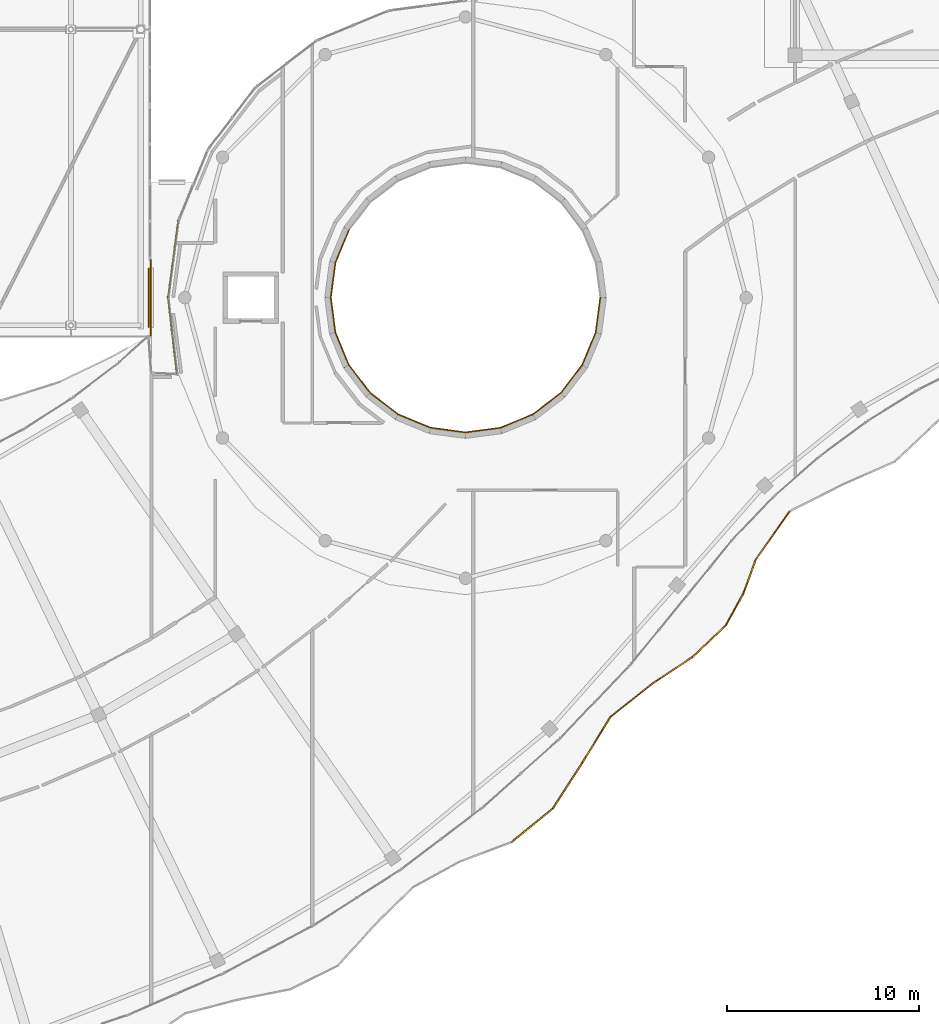
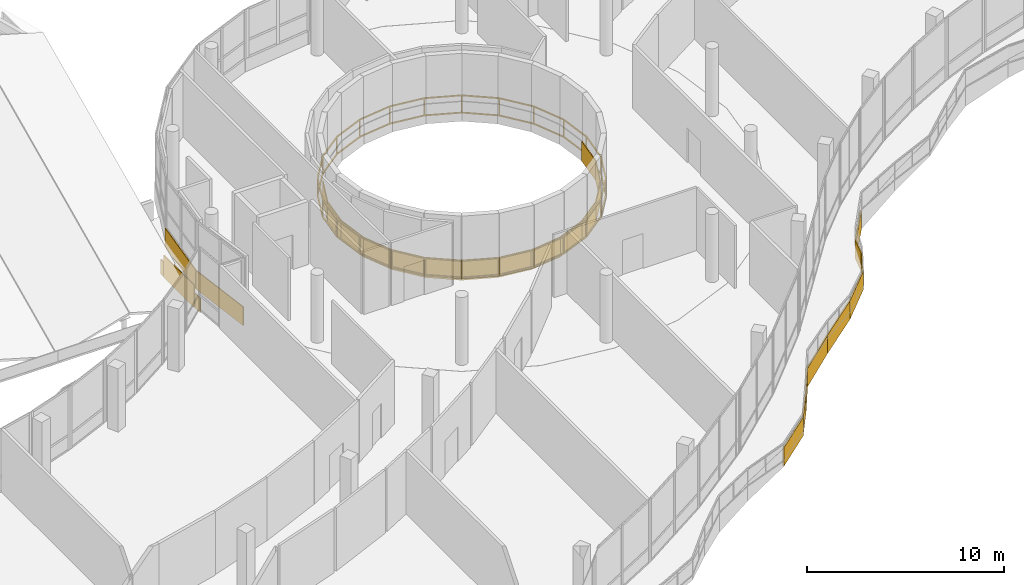
# One storey, part 177 of 184: 27 coverings, 2 railings.
"""IFC4 building model written with IfcOpenShell, lengths in metres."""

import ifcopenshell
import ifcopenshell.guid

model = None  # the IFC model being written
_history = None  # IfcOwnerHistory: only IFC2X3 demands one
_inside = {}  # id of a spatial element -> (the spatial element, [elements in it])
_under = {}  # id of a project, library or spatial element -> (it, [spatial elements below it])
_declared = {}  # id of a project -> (the project, [libraries it declares])
_typed = {}  # id of a type object -> (the type object, [elements of that type])
_made_of = {}  # id of a material, layer set ... -> (it, [elements and type objects made of it])


def new_model(schema):
    """Start an empty IFC model of exactly this schema.

    Asked for "IFC4X3", IfcOpenShell would pick the latest addendum, in which some entities
    have other attributes; the version numbers below select the first issue.
    IFC2X3 requires an IfcOwnerHistory on every rooted entity: one is made here for all.
    """
    global model, _history
    if schema == "IFC4X3":
        model = ifcopenshell.file(schema_version=(4, 3, 0, 0))
    else:
        model = ifcopenshell.file(schema=schema)
    _inside.clear()
    _under.clear()
    _declared.clear()
    _typed.clear()
    _made_of.clear()
    _history = None
    if model.schema == "IFC2X3":
        org = make("IfcOrganization", Name="unknown")
        user = make(
            "IfcPersonAndOrganization",
            ThePerson=make("IfcPerson", FamilyName="unknown"),
            TheOrganization=org,
        )
        app = make(
            "IfcApplication",
            ApplicationDeveloper=org,
            Version="unknown",
            ApplicationFullName="unknown",
            ApplicationIdentifier="unknown",
        )
        _history = make(
            "IfcOwnerHistory",
            OwningUser=user,
            OwningApplication=app,
            ChangeAction="ADDED",
            CreationDate=0,
        )
    return model


def make(cls, **values):
    """One entity of the class cls with the attributes given. An attribute that is None is left unset."""
    return model.create_entity(
        cls, **{name: value for name, value in values.items() if value is not None}
    )


def rooted(cls, **values):
    """An entity with a GlobalId (a new one), such as an element, a storey or a relation."""
    return make(cls, GlobalId=ifcopenshell.guid.new(), OwnerHistory=_history, **values)


def si_unit(unit_type, name, prefix=None):
    """IfcSIUnit, for example si_unit("LENGTHUNIT", "METRE", prefix="MILLI")."""
    return make("IfcSIUnit", UnitType=unit_type, Prefix=prefix, Name=name)


def assignment(units):
    """IfcUnitAssignment: the units of a project."""
    return None if units is None else make("IfcUnitAssignment", Units=units)


def point(xyz):
    """IfcCartesianPoint."""
    return None if xyz is None else make("IfcCartesianPoint", Coordinates=xyz)


def direction(xyz):
    """IfcDirection."""
    return None if xyz is None else make("IfcDirection", DirectionRatios=xyz)


def frame(location, z_axis=None, x_axis=None):
    """IfcAxis2Placement3D, a coordinate frame: its origin and axes. An axis left out is left unset."""
    return make(
        "IfcAxis2Placement3D",
        Location=point(location),
        Axis=direction(z_axis),
        RefDirection=direction(x_axis),
    )


def frame_2d(location, x_axis=None):
    """IfcAxis2Placement2D, a coordinate frame in the plane: its origin and x axis."""
    return make(
        "IfcAxis2Placement2D", Location=point(location), RefDirection=direction(x_axis)
    )


def origin():
    """The frame at (0, 0, 0) with its axes left unset."""
    return frame((0.0, 0.0, 0.0))


def origin_2d():
    """The frame at (0, 0) in the plane with its x axis left unset."""
    return frame_2d((0.0, 0.0))


def place(relative_to, where):
    """IfcLocalPlacement: puts the frame where relative to a parent placement (None: the world)."""
    return make(
        "IfcLocalPlacement", PlacementRelTo=relative_to, RelativePlacement=where
    )


def context(
    kind, dimensions, precision=None, world=None, true_north=None, identifier=None
):
    """IfcGeometricRepresentationContext, for example the 3D "Model" context."""
    return make(
        "IfcGeometricRepresentationContext",
        ContextIdentifier=identifier,
        ContextType=kind,
        CoordinateSpaceDimension=dimensions,
        Precision=precision,
        WorldCoordinateSystem=world,
        TrueNorth=true_north,
    )


def subcontext(parent, identifier, kind, view, scale=None):
    """IfcGeometricRepresentationSubContext, for example "Body" below "Model"."""
    return make(
        "IfcGeometricRepresentationSubContext",
        ContextIdentifier=identifier,
        ContextType=kind,
        ParentContext=parent,
        TargetScale=scale,
        TargetView=view,
    )


def project(units=None, contexts=None):
    """IfcProject with its units and contexts."""
    return rooted(
        "IfcProject",
        Name="project",
        RepresentationContexts=contexts,
        UnitsInContext=assignment(units),
    )


def spatial(cls, under=None, at=None, **own):
    """A site, building, storey or space (cls), placed at a placement, below another one or the project."""
    s = rooted(cls, ObjectPlacement=at, **own)
    if under is not None:
        _under.setdefault(under.id(), (under, []))[1].append(s)
    return s


def polyline(points):
    """IfcPolyline through the points."""
    return make("IfcPolyline", Points=[point(p) for p in points])


def profile(cls, at=None, kind="AREA", **sizes):
    """A parametric profile (cls). Its sizes go by their IFC names, for example OverallWidth=200.0."""
    return make(cls, ProfileType=kind, Position=at, **sizes)


def rectangle(**sizes):
    """IfcRectangleProfileDef."""
    return profile("IfcRectangleProfileDef", **sizes)


def outline(outer, holes=None, kind="AREA"):
    """IfcArbitraryClosedProfileDef: a profile drawn as a closed curve; with holes, ...WithVoids."""
    if holes is None:
        return make("IfcArbitraryClosedProfileDef", ProfileType=kind, OuterCurve=outer)
    return make(
        "IfcArbitraryProfileDefWithVoids",
        ProfileType=kind,
        OuterCurve=outer,
        InnerCurves=holes,
    )


def extrude(swept, where, along, depth):
    """IfcExtrudedAreaSolid: the profile swept, set in the frame where, extruded along a direction by depth."""
    return make(
        "IfcExtrudedAreaSolid",
        SweptArea=swept,
        Position=where,
        ExtrudedDirection=direction(along),
        Depth=depth,
    )


def shape(context_of_items, identifier, shape_type, items):
    """IfcShapeRepresentation: the items that make up one representation, for example the "Body"."""
    return make(
        "IfcShapeRepresentation",
        ContextOfItems=context_of_items,
        RepresentationIdentifier=identifier,
        RepresentationType=shape_type,
        Items=items,
    )


def material(Name=None, Category=None):
    """IfcMaterial."""
    return make("IfcMaterial", Name=Name, Category=Category)


def layer(
    of_material, thickness, ventilated=None, Name=None, Category=None, Priority=None
):
    """IfcMaterialLayer: one layer of a wall or slab, of a material (None: an air gap)."""
    return make(
        "IfcMaterialLayer",
        Material=of_material,
        LayerThickness=thickness,
        IsVentilated=ventilated,
        Name=Name,
        Category=Category,
        Priority=Priority,
    )


def layer_set(layers, Name=None):
    """IfcMaterialLayerSet."""
    return make("IfcMaterialLayerSet", MaterialLayers=layers, LayerSetName=Name)


def made_of(thing, what):
    """Note that an element or type object is made of a material, layer set ...; save() writes the relation."""
    if what is not None:
        _made_of.setdefault(what.id(), (what, []))[1].append(thing)
    return thing


def type_object(cls, material=None, **own):
    """A type object (cls), such as IfcWallType, which elements share."""
    return made_of(rooted(cls, **own), material)


def element(
    cls,
    number,
    at=None,
    inside=None,
    cuts=None,
    type_object=None,
    material=None,
    context=None,
    identifier="Body",
    shape_type=None,
    held_by="IfcProductDefinitionShape",
    body=None,
    shapes=None,
    **own,
):
    """One element of the class cls, such as IfcWall. Its Tag is "e" and its number.

    at: its placement. inside: the storey or other place that contains it. cuts: it is an
    opening in that element (IfcRelVoidsElement). A single representation is given by context,
    identifier, shape_type and body (its items); several are given by shapes. held_by: the class
    of the entity that holds the representations. save() writes the other relations.
    """
    e = rooted(cls, Tag="e%d" % number, ObjectPlacement=at, **own)
    if body is not None:
        shapes = [shape(context, identifier, shape_type, body)]
    if shapes is not None:
        e.Representation = make(held_by, Representations=shapes)
    if inside is not None:
        _inside.setdefault(inside.id(), (inside, []))[1].append(e)
    if cuts is not None:
        rooted(
            "IfcRelVoidsElement", RelatingBuildingElement=cuts, RelatedOpeningElement=e
        )
    if type_object is not None:
        _typed.setdefault(type_object.id(), (type_object, []))[1].append(e)
    return made_of(e, material)


def aggregate(whole, parts):
    """IfcRelAggregates: a whole, such as a stair, and the parts it consists of."""
    return rooted("IfcRelAggregates", RelatingObject=whole, RelatedObjects=parts)


def save(model, path):
    """Write the relations noted so far, then the file.

    IfcRelAggregates (storeys below a building ...), IfcRelContainedInSpatialStructure (elements
    in a storey), IfcRelDefinesByType, IfcRelAssociatesMaterial and IfcRelDeclares: one each for
    every whole, place, type object, material and project.
    """
    for whole, parts in _under.values():
        aggregate(whole, parts)
    for where, things in _inside.values():
        rooted(
            "IfcRelContainedInSpatialStructure",
            RelatedElements=things,
            RelatingStructure=where,
        )
    for kind, things in _typed.values():
        rooted("IfcRelDefinesByType", RelatedObjects=things, RelatingType=kind)
    for what, things in _made_of.values():
        rooted("IfcRelAssociatesMaterial", RelatedObjects=things, RelatingMaterial=what)
    for by, libraries in _declared.values():
        rooted("IfcRelDeclares", RelatingContext=by, RelatedDefinitions=libraries)
    model.write(path)


model = new_model("IFC4")

# Units and contexts
model_context = context("Model", 3, precision=1e-05, world=origin(), true_north=direction((0.0, 1.0)))
body_context = subcontext(model_context, "Body", "Model", "MODEL_VIEW")
ifc_project = project(units=[si_unit("LENGTHUNIT", "METRE"), si_unit("AREAUNIT", "SQUARE_METRE"), si_unit("VOLUMEUNIT", "CUBIC_METRE"), si_unit("PLANEANGLEUNIT", "RADIAN"), si_unit("MASSUNIT", "GRAM", prefix="KILO")], contexts=[model_context])

# Site, building, storey
site_placement = place(None, origin())
site = spatial("IfcSite", under=ifc_project, at=site_placement, CompositionType="ELEMENT")
building_placement = place(site_placement, origin())
building = spatial("IfcBuilding", under=site, at=building_placement, Name="Selatvlak General Hospital", CompositionType="ELEMENT")
storey_placement = place(building_placement, frame((0.0, 0.0, 15.0)))
storey = spatial("IfcBuildingStorey", under=building, at=storey_placement, Name="L03", CompositionType="ELEMENT", Elevation=15.0)

# Coverings
ifc_material_1 = material(Name="PVDF aluminium fascia - cobalt blue", Category="aluminium")
ifc_layer_1 = layer(ifc_material_1, 0.070068359375, Name="PVDF aluminium fascia - cobalt blue", Category="aluminium")
ifc_layer_set_1 = layer_set([ifc_layer_1], Name="PVDF aluminium fascia - cobalt blue")
covering_type_1 = type_object("IfcCoveringType", Name="COV-RB-BLU", PredefinedType="CLADDING", material=ifc_layer_set_1)
covering_1_placement = place(storey_placement, frame((100.39599609375, 25.569091796875, -0.319091796875), z_axis=(0.0, 0.0, 1.0), x_axis=(0.774485494262, 0.632591668597, 0.0)))
element("IfcCovering", 1, at=covering_1_placement, inside=storey, type_object=covering_type_1, Name="L03 De Stijl waving fascia streamer 344", PredefinedType="CLADDING", context=body_context, shape_type="SweptSolid", body=[
    extrude(outline(polyline([(0.0, 0.0), (2.77880859375, 0.08203125), (2.77880859375, 1.221923828125), (0.0, 1.139892578125), (0.0, 0.0)])), frame((0.0, 0.03515625, 0.0), z_axis=(0.0, -1.0, 0.0), x_axis=(1.0, 0.0, 0.0)), (0.0, 0.0, 1.0), 0.070068359375),
])
covering_2_placement = place(storey_placement, frame((102.548095703125, 27.326904296875, -0.237060546875), z_axis=(0.0, 0.0, 1.0), x_axis=(0.543574077251, 0.839361199092, 0.0)))
element("IfcCovering", 2, at=covering_2_placement, inside=storey, type_object=covering_type_1, Name="L03 De Stijl waving fascia streamer 345", PredefinedType="CLADDING", context=body_context, shape_type="SweptSolid", body=[
    extrude(outline(polyline([(0.0, 0.0), (2.853271484375, -0.52294921875), (2.853271484375, 0.616943359375), (0.0, 1.139892578125), (0.0, 0.0)])), frame((0.0, 0.03515625, 0.0), z_axis=(0.0, -1.0, 0.0), x_axis=(1.0, 0.0, 0.0)), (0.0, 0.0, 1.0), 0.070068359375),
])
covering_3_placement = place(storey_placement, frame((104.097900390625, 29.721923828125, -0.760009765625), z_axis=(0.0, 0.0, 1.0), x_axis=(0.523100664911, 0.852270904332, 0.0)))
element("IfcCovering", 3, at=covering_3_placement, inside=storey, type_object=covering_type_1, Name="L03 De Stijl waving fascia streamer 346", PredefinedType="CLADDING", context=body_context, shape_type="SweptSolid", body=[
    extrude(outline(polyline([(0.0, 0.0), (2.816162109375, -0.4140625), (2.816162109375, 0.725830078125), (0.0, 1.139892578125), (0.0, 0.0)])), frame((0.0, 0.03515625, 0.0), z_axis=(0.0, -1.0, 0.0), x_axis=(1.0, 0.0, 0.0)), (0.0, 0.0, 1.0), 0.070068359375),
])
covering_4_placement = place(storey_placement, frame((105.571044921875, 32.12109375, -1.174072265625), z_axis=(0.0, 0.0, 1.0), x_axis=(0.782684197594, 0.622419028338, 0.0)))
element("IfcCovering", 4, at=covering_4_placement, inside=storey, type_object=covering_type_1, Name="L03 De Stijl waving fascia streamer 347", PredefinedType="CLADDING", context=body_context, shape_type="SweptSolid", body=[
    extrude(outline(polyline([(0.0, 0.0), (2.763427734375, 0.261962890625), (2.763427734375, 1.40185546875), (0.0, 1.139892578125), (0.0, 0.0)])), frame((0.0, 0.03515625, 0.0), z_axis=(0.0, -1.0, 0.0), x_axis=(1.0, 0.0, 0.0)), (0.0, 0.0, 1.0), 0.070068359375),
])
covering_5_placement = place(storey_placement, frame((107.73388671875, 33.841064453125, -0.912109375), z_axis=(0.0, 0.0, 1.0), x_axis=(0.834175956331, 0.551498389734, 0.0)))
element("IfcCovering", 5, at=covering_5_placement, inside=storey, type_object=covering_type_1, Name="L03 De Stijl waving fascia streamer 348", PredefinedType="CLADDING", context=body_context, shape_type="SweptSolid", body=[
    extrude(outline(polyline([(0.0, 0.0), (2.5546875, 0.524169921875), (2.5546875, 1.6640625), (0.0, 1.139892578125), (0.0, 0.0)])), frame((0.0, 0.03515625, 0.0), z_axis=(0.0, -1.0, 0.0), x_axis=(1.0, 0.0, 0.0)), (0.0, 0.0, 1.0), 0.070068359375),
])
covering_6_placement = place(storey_placement, frame((109.864013671875, 35.2490234375, -0.387939453125), z_axis=(0.0, 0.0, 1.0), x_axis=(0.721950096627, 0.691945126423, 0.0)))
element("IfcCovering", 6, at=covering_6_placement, inside=storey, type_object=covering_type_1, Name="L03 De Stijl waving fascia streamer 349", PredefinedType="CLADDING", context=body_context, shape_type="SweptSolid", body=[
    extrude(outline(polyline([(0.0, 0.0), (2.400390625, 0.201904296875), (2.400390625, 1.341796875), (0.0, 1.139892578125), (0.0, 0.0)])), frame((0.0, 0.03515625, 0.0), z_axis=(0.0, -1.0, 0.0), x_axis=(1.0, 0.0, 0.0)), (0.0, 0.0, 1.0), 0.070068359375),
])
covering_7_placement = place(storey_placement, frame((111.596923828125, 36.909912109375, -0.18603515625), z_axis=(0.0, 0.0, 1.0), x_axis=(0.481879223122, 0.876237647173, 0.0)))
element("IfcCovering", 7, at=covering_7_placement, inside=storey, type_object=covering_type_1, Name="L03 De Stijl waving fascia streamer 350", PredefinedType="CLADDING", context=body_context, shape_type="SweptSolid", body=[
    extrude(outline(polyline([(0.0, 0.0), (1.89697265625, -0.23486328125), (1.89697265625, 0.905029296875), (0.0, 1.139892578125), (0.0, 0.0)])), frame((0.0, 0.03515625, 0.0), z_axis=(0.0, -1.0, 0.0), x_axis=(1.0, 0.0, 0.0)), (0.0, 0.0, 1.0), 0.070068359375),
])
covering_8_placement = place(storey_placement, frame((112.511962890625, 38.572998046875, -0.4208984375), z_axis=(0.0, 0.0, 1.0), x_axis=(0.340970288907, 0.940074072657, 0.0)))
element("IfcCovering", 8, at=covering_8_placement, inside=storey, type_object=covering_type_1, Name="L03 De Stijl waving fascia streamer 351", PredefinedType="CLADDING", context=body_context, shape_type="SweptSolid", body=[
    extrude(outline(polyline([(0.0, 0.0), (1.87744140625, -0.416015625), (1.87744140625, 0.723876953125), (0.0, 1.139892578125), (0.0, 0.0)])), frame((0.0, 0.03515625, 0.0), z_axis=(0.0, -1.0, 0.0), x_axis=(1.0, 0.0, 0.0)), (0.0, 0.0, 1.0), 0.070068359375),
])
covering_9_placement = place(storey_placement, frame((113.152099609375, 40.337890625, -0.8369140625), z_axis=(0.0, 0.0, 1.0), x_axis=(0.576230641675, 0.817287126776, 0.0)))
element("IfcCovering", 9, at=covering_9_placement, inside=storey, type_object=covering_type_1, Name="L03 De Stijl waving fascia streamer 352", PredefinedType="CLADDING", context=body_context, shape_type="SweptSolid", body=[
    extrude(outline(polyline([(0.0, 0.0), (3.050537109375, -0.3330078125), (3.050537109375, 0.806884765625), (0.0, 1.139892578125), (0.0, 0.0)])), frame((0.0, 0.03515625, 0.0), z_axis=(0.0, -1.0, 0.0), x_axis=(1.0, 0.0, 0.0)), (0.0, 0.0, 1.0), 0.070068359375),
])
ifc_material_2 = material(Name="White Bauhaus fair-faced cladding panel")
ifc_layer_2 = layer(ifc_material_2, 0.054931640625, Name="White Bauhaus fair-faced cladding panel")
ifc_layer_set_2 = layer_set([ifc_layer_2], Name="White Bauhaus fair-faced cladding panel")
covering_type_2 = type_object("IfcCoveringType", Name="COV-WHT1", PredefinedType="CLADDING", material=ifc_layer_set_2)
covering_10_placement = place(storey_placement, frame((82.68896484375, 51.9951171875, -0.300048828125), z_axis=(0.0, 0.0, 1.0), x_axis=(-0.11379279121, 0.993504504604, 0.0)))
element("IfcCovering", 10, at=covering_10_placement, inside=storey, type_object=covering_type_2, Name="L03 Rotunda white Bauhaus spandrel ring 0249", PredefinedType="CLADDING", context=body_context, shape_type="SweptSolid", body=[
    extrude(rectangle(XDim=4.02490234375, YDim=0.054931640625, at=origin_2d()), origin(), (0.0, 0.0, 1.0), 1.14990234375),
])
covering_11_placement = place(storey_placement, frame((82.72412109375, 56.010009765625, -0.300048828125), z_axis=(0.0, 0.0, 1.0), x_axis=(0.13047428011, 0.99145169435, 0.0)))
element("IfcCovering", 11, at=covering_11_placement, inside=storey, type_object=covering_type_2, Name="L03 Rotunda white Bauhaus spandrel ring 0250", PredefinedType="CLADDING", context=body_context, shape_type="SweptSolid", body=[
    extrude(rectangle(XDim=4.047119140625, YDim=0.054931640625, at=origin_2d()), origin(), (0.0, 0.0, 1.0), 1.14990234375),
])
covering_12_placement = place(storey_placement, frame((91.56103515625, 56.675048828125, -0.27978515625), z_axis=(0.0, 0.0, 1.0), x_axis=(-0.384005268657, -0.923330901489, 0.0)))
element("IfcCovering", 12, at=covering_12_placement, inside=storey, type_object=covering_type_2, Name="L03 Bauhaus horizontal white spandrel band 0276", PredefinedType="CLADDING", context=body_context, shape_type="SweptSolid", body=[
    extrude(rectangle(XDim=1.8798828125, YDim=0.054931640625, at=origin_2d()), origin(), (0.0, 0.0, 1.0), 1.219970703125),
])
covering_13_placement = place(storey_placement, frame((91.087890625, 54.9169921875, -0.27978515625), z_axis=(0.0, 0.0, 1.0), x_axis=(-0.131495152443, -0.991316813579, 0.0)))
element("IfcCovering", 13, at=covering_13_placement, inside=storey, type_object=covering_type_2, Name="L03 Bauhaus horizontal white spandrel band 0277", PredefinedType="CLADDING", context=body_context, shape_type="SweptSolid", body=[
    extrude(rectangle(XDim=1.8779296875, YDim=0.054931640625, at=origin_2d()), origin(), (0.0, 0.0, 1.0), 1.219970703125),
])
covering_14_placement = place(storey_placement, frame((91.0859375, 53.097900390625, -0.27978515625), z_axis=(0.0, 0.0, 1.0), x_axis=(0.129332123433, -0.991601332113, 0.0)))
element("IfcCovering", 14, at=covering_14_placement, inside=storey, type_object=covering_type_2, Name="L03 Bauhaus horizontal white spandrel band 0278", PredefinedType="CLADDING", context=body_context, shape_type="SweptSolid", body=[
    extrude(rectangle(XDim=1.87890625, YDim=0.054931640625, at=origin_2d()), origin(), (0.0, 0.0, 1.0), 1.219970703125),
])
covering_15_placement = place(storey_placement, frame((91.554931640625, 51.339111328125, -0.27978515625), z_axis=(0.0, 0.0, 1.0), x_axis=(0.381812526586, -0.924239792771, 0.0)))
element("IfcCovering", 15, at=covering_15_placement, inside=storey, type_object=covering_type_2, Name="L03 Bauhaus horizontal white spandrel band 0279", PredefinedType="CLADDING", context=body_context, shape_type="SweptSolid", body=[
    extrude(rectangle(XDim=1.8798828125, YDim=0.054931640625, at=origin_2d()), origin(), (0.0, 0.0, 1.0), 1.219970703125),
])
for number, where, z_axis, x_axis, name in (
    (16, (92.464111328125, 49.760986328125, -0.27978515625), (0.0, 0.0, 1.0), (0.607805570475, -0.79408588232, 0.0), "L03 Bauhaus horizontal white spandrel band 0280"),
    (17, (93.75, 48.472900390625, -0.27978515625), (0.0, 0.0, 1.0), (0.792917516662, -0.609328984843, 0.0), "L03 Bauhaus horizontal white spandrel band 0281"),
):
    element("IfcCovering", number, at=place(storey_placement, frame(where, z_axis=z_axis, x_axis=x_axis)), inside=storey, type_object=covering_type_2, Name=name, PredefinedType="CLADDING", context=body_context, shape_type="SweptSolid", body=[
        extrude(rectangle(XDim=1.87890625, YDim=0.054931640625, at=origin_2d()), origin(), (0.0, 0.0, 1.0), 1.219970703125),
    ])
covering_16_placement = place(storey_placement, frame((95.324951171875, 47.56103515625, -0.27978515625), z_axis=(0.0, 0.0, 1.0), x_axis=(0.923330901489, -0.384005268657, 0.0)))
element("IfcCovering", 18, at=covering_16_placement, inside=storey, type_object=covering_type_2, Name="L03 Bauhaus horizontal white spandrel band 0282", PredefinedType="CLADDING", context=body_context, shape_type="SweptSolid", body=[
    extrude(rectangle(XDim=1.8798828125, YDim=0.054931640625, at=origin_2d()), origin(), (0.0, 0.0, 1.0), 1.219970703125),
])
covering_17_placement = place(storey_placement, frame((97.0830078125, 47.087890625, -0.27978515625), z_axis=(0.0, 0.0, 1.0), x_axis=(0.991316813579, -0.131495152443, 0.0)))
element("IfcCovering", 19, at=covering_17_placement, inside=storey, type_object=covering_type_2, Name="L03 Bauhaus horizontal white spandrel band 0283", PredefinedType="CLADDING", context=body_context, shape_type="SweptSolid", body=[
    extrude(rectangle(XDim=1.8779296875, YDim=0.054931640625, at=origin_2d()), origin(), (0.0, 0.0, 1.0), 1.219970703125),
])
covering_18_placement = place(storey_placement, frame((98.902099609375, 47.0859375, -0.27978515625), z_axis=(0.0, 0.0, 1.0), x_axis=(0.991601332113, 0.129332123433, 0.0)))
element("IfcCovering", 20, at=covering_18_placement, inside=storey, type_object=covering_type_2, Name="L03 Bauhaus horizontal white spandrel band 0284", PredefinedType="CLADDING", context=body_context, shape_type="SweptSolid", body=[
    extrude(rectangle(XDim=1.87890625, YDim=0.054931640625, at=origin_2d()), origin(), (0.0, 0.0, 1.0), 1.219970703125),
])
covering_19_placement = place(storey_placement, frame((100.660888671875, 47.554931640625, -0.27978515625), z_axis=(0.0, 0.0, 1.0), x_axis=(0.924239792771, 0.381812526586, 0.0)))
element("IfcCovering", 21, at=covering_19_placement, inside=storey, type_object=covering_type_2, Name="L03 Bauhaus horizontal white spandrel band 0285", PredefinedType="CLADDING", context=body_context, shape_type="SweptSolid", body=[
    extrude(rectangle(XDim=1.8798828125, YDim=0.054931640625, at=origin_2d()), origin(), (0.0, 0.0, 1.0), 1.219970703125),
])
for number, where, z_axis, x_axis, name in (
    (22, (102.239013671875, 48.464111328125, -0.27978515625), (0.0, 0.0, 1.0), (0.79408588232, 0.607805570475, 0.0), "L03 Bauhaus horizontal white spandrel band 0286"),
    (23, (103.527099609375, 49.75, -0.27978515625), (0.0, 0.0, 1.0), (0.609328984843, 0.792917516662, 0.0), "L03 Bauhaus horizontal white spandrel band 0287"),
):
    element("IfcCovering", number, at=place(storey_placement, frame(where, z_axis=z_axis, x_axis=x_axis)), inside=storey, type_object=covering_type_2, Name=name, PredefinedType="CLADDING", context=body_context, shape_type="SweptSolid", body=[
        extrude(rectangle(XDim=1.87890625, YDim=0.054931640625, at=origin_2d()), origin(), (0.0, 0.0, 1.0), 1.219970703125),
    ])
covering_20_placement = place(storey_placement, frame((104.43896484375, 51.324951171875, -0.27978515625), z_axis=(0.0, 0.0, 1.0), x_axis=(0.384005268657, 0.923330901489, 0.0)))
element("IfcCovering", 24, at=covering_20_placement, inside=storey, type_object=covering_type_2, Name="L03 Bauhaus horizontal white spandrel band 0288", PredefinedType="CLADDING", context=body_context, shape_type="SweptSolid", body=[
    extrude(rectangle(XDim=1.8798828125, YDim=0.054931640625, at=origin_2d()), origin(), (0.0, 0.0, 1.0), 1.219970703125),
])
covering_21_placement = place(storey_placement, frame((104.912109375, 53.0830078125, -0.27978515625), z_axis=(0.0, 0.0, 1.0), x_axis=(0.131495152443, 0.991316813579, 0.0)))
element("IfcCovering", 25, at=covering_21_placement, inside=storey, type_object=covering_type_2, Name="L03 Bauhaus horizontal white spandrel band 0289", PredefinedType="CLADDING", context=body_context, shape_type="SweptSolid", body=[
    extrude(rectangle(XDim=1.8779296875, YDim=0.054931640625, at=origin_2d()), origin(), (0.0, 0.0, 1.0), 1.219970703125),
])
covering_22_placement = place(storey_placement, frame((81.56005859375, 54.0, -0.25), z_axis=(0.0, 0.0, 1.0), x_axis=(0.0, 1.0, 0.0)))
element("IfcCovering", 26, at=covering_22_placement, inside=storey, type_object=covering_type_2, Name="L03 Concourse hall gable eaves fascia 0578", PredefinedType="CLADDING", context=body_context, shape_type="SweptSolid", body=[
    extrude(rectangle(XDim=4.0, YDim=0.054931640625, at=origin_2d()), origin(), (0.0, 0.0, 1.0), 0.89990234375),
])
covering_23_placement = place(storey_placement, frame((81.471923828125, 53.99609375, -0.170166015625), z_axis=(0.0, 0.0, 1.0), x_axis=(-0.000331612552, 0.999999945017, 0.0)))
element("IfcCovering", 27, at=covering_23_placement, inside=storey, type_object=covering_type_2, Name="L03 Roof parapet white Bauhaus coping 0644", PredefinedType="CLADDING", context=body_context, shape_type="SweptSolid", body=[
    extrude(rectangle(XDim=3.093017578125, YDim=0.054931640625, at=origin_2d()), origin(), (0.0, 0.0, 1.0), 1.3701171875),
])

# Railings
ifc_material_3 = material(Name="Stainless steel 316 atrium guard", Category="steel")
railing_type = type_object("IfcRailingType", Name="RAIL-ATR", PredefinedType="GUARDRAIL", material=ifc_material_3)
railing_1_placement = place(storey_placement, frame((105.300048828125, 54.0, 0.0)))
element("IfcRailing", 28, at=railing_1_placement, inside=storey, type_object=railing_type, Name="L03 rotunda atrium void guard N", PredefinedType="GUARDRAIL", context=body_context, shape_type="SweptSolid", body=[
    extrude(rectangle(XDim=0.068115234375, YDim=0.068115234375, at=origin_2d()), frame((-0.00048828125, 0.0029296875, 1.11572265625), z_axis=(-0.130703112878, 0.991421553268, 0.0), x_axis=(-0.991421553268, -0.130703112878, 0.0)), (0.0, 0.0, 1.0), 1.8994140625),
    extrude(rectangle(XDim=0.068115234375, YDim=0.068115234375, at=origin_2d()), frame((-0.00048828125, 0.0029296875, 0.049072265625), z_axis=(-0.130703112878, 0.991421553268, 0.0), x_axis=(-0.991421553268, -0.130703112878, 0.0)), (0.0, 0.0, 1.0), 1.8994140625),
    extrude(rectangle(XDim=0.068115234375, YDim=0.068115234375, at=origin_2d()), frame((-0.250244140625, 1.8916015625, 1.11572265625), z_axis=(-0.382495099758, 0.923957519944, 0.0), x_axis=(-0.923957519944, -0.382495099758, 0.0)), (0.0, 0.0, 1.0), 1.900146484375),
    extrude(rectangle(XDim=0.068115234375, YDim=0.068115234375, at=origin_2d()), frame((-0.250244140625, 1.8916015625, 0.049072265625), z_axis=(-0.382495099758, 0.923957519944, 0.0), x_axis=(-0.923957519944, -0.382495099758, 0.0)), (0.0, 0.0, 1.0), 1.900146484375),
    extrude(rectangle(XDim=0.068115234375, YDim=0.068115234375, at=origin_2d()), frame((-0.979736328125, 3.65234375, 1.11572265625), z_axis=(-0.608614402838, 0.793466135798, 0.0), x_axis=(-0.793466135798, -0.608614402838, 0.0)), (0.0, 0.0, 1.0), 1.89990234375),
    extrude(rectangle(XDim=0.068115234375, YDim=0.068115234375, at=origin_2d()), frame((-0.979736328125, 3.65234375, 0.049072265625), z_axis=(-0.608614402838, 0.793466135798, 0.0), x_axis=(-0.793466135798, -0.608614402838, 0.0)), (0.0, 0.0, 1.0), 1.89990234375),
    extrude(rectangle(XDim=0.068115234375, YDim=0.068115234375, at=origin_2d()), frame((-2.140380859375, 5.163818359375, 1.11572265625), z_axis=(-0.793466135798, 0.608614402838, 0.0), x_axis=(-0.608614402838, -0.793466135798, 0.0)), (0.0, 0.0, 1.0), 1.89990234375),
    extrude(rectangle(XDim=0.068115234375, YDim=0.068115234375, at=origin_2d()), frame((-2.140380859375, 5.163818359375, 0.049072265625), z_axis=(-0.793466135798, 0.608614402838, 0.0), x_axis=(-0.608614402838, -0.793466135798, 0.0)), (0.0, 0.0, 1.0), 1.89990234375),
    extrude(rectangle(XDim=0.068115234375, YDim=0.068115234375, at=origin_2d()), frame((-3.65283203125, 6.3232421875, 1.11572265625), z_axis=(-0.923957519944, 0.382495099758, 0.0), x_axis=(-0.382495099758, -0.923957519944, 0.0)), (0.0, 0.0, 1.0), 1.900146484375),
    extrude(rectangle(XDim=0.068115234375, YDim=0.068115234375, at=origin_2d()), frame((-3.65283203125, 6.3232421875, 0.049072265625), z_axis=(-0.923957519944, 0.382495099758, 0.0), x_axis=(-0.382495099758, -0.923957519944, 0.0)), (0.0, 0.0, 1.0), 1.900146484375),
    extrude(rectangle(XDim=0.068115234375, YDim=0.068115234375, at=origin_2d()), frame((-5.4140625, 7.051513671875, 1.11572265625), z_axis=(-0.991421553268, 0.130703112878, 0.0), x_axis=(-0.130703112878, -0.991421553268, 0.0)), (0.0, 0.0, 1.0), 1.8994140625),
    extrude(rectangle(XDim=0.068115234375, YDim=0.068115234375, at=origin_2d()), frame((-5.4140625, 7.051513671875, 0.049072265625), z_axis=(-0.991421553268, 0.130703112878, 0.0), x_axis=(-0.130703112878, -0.991421553268, 0.0)), (0.0, 0.0, 1.0), 1.8994140625),
    extrude(rectangle(XDim=0.068115234375, YDim=0.068115234375, at=origin_2d()), frame((-7.302978515625, 7.299560546875, 1.11572265625), z_axis=(-0.991421553268, -0.130703112878, 0.0), x_axis=(0.130703112878, -0.991421553268, 0.0)), (0.0, 0.0, 1.0), 1.8994140625),
    extrude(rectangle(XDim=0.068115234375, YDim=0.068115234375, at=origin_2d()), frame((-7.302978515625, 7.299560546875, 0.049072265625), z_axis=(-0.991421553268, -0.130703112878, 0.0), x_axis=(0.130703112878, -0.991421553268, 0.0)), (0.0, 0.0, 1.0), 1.8994140625),
    extrude(rectangle(XDim=0.068115234375, YDim=0.068115234375, at=origin_2d()), frame((-9.191650390625, 7.0498046875, 1.11572265625), z_axis=(-0.923957519944, -0.382495099758, 0.0), x_axis=(0.382495099758, -0.923957519944, 0.0)), (0.0, 0.0, 1.0), 1.900146484375),
    extrude(rectangle(XDim=0.068115234375, YDim=0.068115234375, at=origin_2d()), frame((-9.191650390625, 7.0498046875, 0.049072265625), z_axis=(-0.923957519944, -0.382495099758, 0.0), x_axis=(0.382495099758, -0.923957519944, 0.0)), (0.0, 0.0, 1.0), 1.900146484375),
    extrude(rectangle(XDim=0.068115234375, YDim=0.068115234375, at=origin_2d()), frame((-10.952392578125, 6.3203125, 1.11572265625), z_axis=(-0.793466135798, -0.608614402838, 0.0), x_axis=(0.608614402838, -0.793466135798, 0.0)), (0.0, 0.0, 1.0), 1.89990234375),
    extrude(rectangle(XDim=0.068115234375, YDim=0.068115234375, at=origin_2d()), frame((-10.952392578125, 6.3203125, 0.049072265625), z_axis=(-0.793466135798, -0.608614402838, 0.0), x_axis=(0.608614402838, -0.793466135798, 0.0)), (0.0, 0.0, 1.0), 1.89990234375),
    extrude(rectangle(XDim=0.068115234375, YDim=0.068115234375, at=origin_2d()), frame((-12.4638671875, 5.15966796875, 1.11572265625), z_axis=(-0.608614402838, -0.793466135798, 0.0), x_axis=(0.793466135798, -0.608614402838, 0.0)), (0.0, 0.0, 1.0), 1.89990234375),
    extrude(rectangle(XDim=0.068115234375, YDim=0.068115234375, at=origin_2d()), frame((-12.4638671875, 5.15966796875, 0.049072265625), z_axis=(-0.608614402838, -0.793466135798, 0.0), x_axis=(0.793466135798, -0.608614402838, 0.0)), (0.0, 0.0, 1.0), 1.89990234375),
    extrude(rectangle(XDim=0.068115234375, YDim=0.068115234375, at=origin_2d()), frame((-13.623291015625, 3.647216796875, 1.11572265625), z_axis=(-0.382495099758, -0.923957519944, 0.0), x_axis=(0.923957519944, -0.382495099758, 0.0)), (0.0, 0.0, 1.0), 1.900146484375),
    extrude(rectangle(XDim=0.068115234375, YDim=0.068115234375, at=origin_2d()), frame((-13.623291015625, 3.647216796875, 0.049072265625), z_axis=(-0.382495099758, -0.923957519944, 0.0), x_axis=(0.923957519944, -0.382495099758, 0.0)), (0.0, 0.0, 1.0), 1.900146484375),
    extrude(rectangle(XDim=0.068115234375, YDim=0.068115234375, at=origin_2d()), frame((-14.3515625, 1.885986328125, 1.11572265625), z_axis=(-0.130703112878, -0.991421553268, 0.0), x_axis=(0.991421553268, -0.130703112878, 0.0)), (0.0, 0.0, 1.0), 1.8994140625),
    extrude(rectangle(XDim=0.068115234375, YDim=0.068115234375, at=origin_2d()), frame((-14.3515625, 1.885986328125, 0.049072265625), z_axis=(-0.130703112878, -0.991421553268, 0.0), x_axis=(0.991421553268, -0.130703112878, 0.0)), (0.0, 0.0, 1.0), 1.8994140625),
    extrude(rectangle(XDim=0.055908203125, YDim=0.055908203125, at=origin_2d()), origin(), (0.0, 0.0, 1.0), 1.078857421875),
    extrude(rectangle(XDim=0.055908203125, YDim=0.055908203125, at=origin_2d()), frame((-0.2490234375, 1.888916015625, 0.0)), (0.0, 0.0, 1.0), 1.078857421875),
    extrude(rectangle(XDim=0.055908203125, YDim=0.055908203125, at=origin_2d()), frame((-0.97802734375, 3.64990234375, 0.0)), (0.0, 0.0, 1.0), 1.078857421875),
    extrude(rectangle(XDim=0.055908203125, YDim=0.055908203125, at=origin_2d()), frame((-2.137939453125, 5.162109375, 0.0)), (0.0, 0.0, 1.0), 1.078857421875),
    extrude(rectangle(XDim=0.055908203125, YDim=0.055908203125, at=origin_2d()), frame((-3.650146484375, 6.322021484375, 0.0)), (0.0, 0.0, 1.0), 1.078857421875),
    extrude(rectangle(XDim=0.055908203125, YDim=0.055908203125, at=origin_2d()), frame((-5.4111328125, 7.051025390625, 0.0)), (0.0, 0.0, 1.0), 1.078857421875),
    extrude(rectangle(XDim=0.055908203125, YDim=0.055908203125, at=origin_2d()), frame((-7.300048828125, 7.300048828125, 0.0)), (0.0, 0.0, 1.0), 1.078857421875),
    extrude(rectangle(XDim=0.055908203125, YDim=0.055908203125, at=origin_2d()), frame((-9.18896484375, 7.051025390625, 0.0)), (0.0, 0.0, 1.0), 1.078857421875),
    extrude(rectangle(XDim=0.055908203125, YDim=0.055908203125, at=origin_2d()), frame((-10.949951171875, 6.322021484375, 0.0)), (0.0, 0.0, 1.0), 1.078857421875),
    extrude(rectangle(XDim=0.055908203125, YDim=0.055908203125, at=origin_2d()), frame((-12.462158203125, 5.162109375, 0.0)), (0.0, 0.0, 1.0), 1.078857421875),
    extrude(rectangle(XDim=0.055908203125, YDim=0.055908203125, at=origin_2d()), frame((-13.6220703125, 3.64990234375, 0.0)), (0.0, 0.0, 1.0), 1.078857421875),
    extrude(rectangle(XDim=0.055908203125, YDim=0.055908203125, at=origin_2d()), frame((-14.35107421875, 1.888916015625, 0.0)), (0.0, 0.0, 1.0), 1.078857421875),
    extrude(rectangle(XDim=0.055908203125, YDim=0.055908203125, at=origin_2d()), frame((-14.60009765625, 0.0, 0.0)), (0.0, 0.0, 1.0), 1.078857421875),
])
railing_2_placement = place(storey_placement, frame((90.699951171875, 54.0, 0.0)))
element("IfcRailing", 29, at=railing_2_placement, inside=storey, type_object=railing_type, Name="L03 rotunda atrium void guard S", PredefinedType="GUARDRAIL", context=body_context, shape_type="SweptSolid", body=[
    extrude(rectangle(XDim=0.068115234375, YDim=0.068115234375, at=origin_2d()), frame((0.00048828125, -0.0029296875, 1.11572265625), z_axis=(0.130703112878, -0.991421553268, 0.0), x_axis=(0.991421553268, 0.130703112878, 0.0)), (0.0, 0.0, 1.0), 1.8994140625),
    extrude(rectangle(XDim=0.068115234375, YDim=0.068115234375, at=origin_2d()), frame((0.00048828125, -0.0029296875, 0.049072265625), z_axis=(0.130703112878, -0.991421553268, 0.0), x_axis=(0.991421553268, 0.130703112878, 0.0)), (0.0, 0.0, 1.0), 1.8994140625),
    extrude(rectangle(XDim=0.068115234375, YDim=0.068115234375, at=origin_2d()), frame((0.250244140625, -1.8916015625, 1.11572265625), z_axis=(0.382495099758, -0.923957519944, 0.0), x_axis=(0.923957519944, 0.382495099758, 0.0)), (0.0, 0.0, 1.0), 1.900146484375),
    extrude(rectangle(XDim=0.068115234375, YDim=0.068115234375, at=origin_2d()), frame((0.250244140625, -1.8916015625, 0.049072265625), z_axis=(0.382495099758, -0.923957519944, 0.0), x_axis=(0.923957519944, 0.382495099758, 0.0)), (0.0, 0.0, 1.0), 1.900146484375),
    extrude(rectangle(XDim=0.068115234375, YDim=0.068115234375, at=origin_2d()), frame((0.979736328125, -3.65234375, 1.11572265625), z_axis=(0.608614402838, -0.793466135798, 0.0), x_axis=(0.793466135798, 0.608614402838, 0.0)), (0.0, 0.0, 1.0), 1.89990234375),
    extrude(rectangle(XDim=0.068115234375, YDim=0.068115234375, at=origin_2d()), frame((0.979736328125, -3.65234375, 0.049072265625), z_axis=(0.608614402838, -0.793466135798, 0.0), x_axis=(0.793466135798, 0.608614402838, 0.0)), (0.0, 0.0, 1.0), 1.89990234375),
    extrude(rectangle(XDim=0.068115234375, YDim=0.068115234375, at=origin_2d()), frame((2.140380859375, -5.163818359375, 1.11572265625), z_axis=(0.793466135798, -0.608614402838, 0.0), x_axis=(0.608614402838, 0.793466135798, 0.0)), (0.0, 0.0, 1.0), 1.89990234375),
    extrude(rectangle(XDim=0.068115234375, YDim=0.068115234375, at=origin_2d()), frame((2.140380859375, -5.163818359375, 0.049072265625), z_axis=(0.793466135798, -0.608614402838, 0.0), x_axis=(0.608614402838, 0.793466135798, 0.0)), (0.0, 0.0, 1.0), 1.89990234375),
    extrude(rectangle(XDim=0.068115234375, YDim=0.068115234375, at=origin_2d()), frame((3.65283203125, -6.3232421875, 1.11572265625), z_axis=(0.923957519944, -0.382495099758, 0.0), x_axis=(0.382495099758, 0.923957519944, 0.0)), (0.0, 0.0, 1.0), 1.900146484375),
    extrude(rectangle(XDim=0.068115234375, YDim=0.068115234375, at=origin_2d()), frame((3.65283203125, -6.3232421875, 0.049072265625), z_axis=(0.923957519944, -0.382495099758, 0.0), x_axis=(0.382495099758, 0.923957519944, 0.0)), (0.0, 0.0, 1.0), 1.900146484375),
    extrude(rectangle(XDim=0.068115234375, YDim=0.068115234375, at=origin_2d()), frame((5.4140625, -7.051513671875, 1.11572265625), z_axis=(0.991421553268, -0.130703112878, 0.0), x_axis=(0.130703112878, 0.991421553268, 0.0)), (0.0, 0.0, 1.0), 1.8994140625),
    extrude(rectangle(XDim=0.068115234375, YDim=0.068115234375, at=origin_2d()), frame((5.4140625, -7.051513671875, 0.049072265625), z_axis=(0.991421553268, -0.130703112878, 0.0), x_axis=(0.130703112878, 0.991421553268, 0.0)), (0.0, 0.0, 1.0), 1.8994140625),
    extrude(rectangle(XDim=0.068115234375, YDim=0.068115234375, at=origin_2d()), frame((7.302978515625, -7.299560546875, 1.11572265625), z_axis=(0.991421553268, 0.130703112878, 0.0), x_axis=(-0.130703112878, 0.991421553268, 0.0)), (0.0, 0.0, 1.0), 1.8994140625),
    extrude(rectangle(XDim=0.068115234375, YDim=0.068115234375, at=origin_2d()), frame((7.302978515625, -7.299560546875, 0.049072265625), z_axis=(0.991421553268, 0.130703112878, 0.0), x_axis=(-0.130703112878, 0.991421553268, 0.0)), (0.0, 0.0, 1.0), 1.8994140625),
    extrude(rectangle(XDim=0.068115234375, YDim=0.068115234375, at=origin_2d()), frame((9.191650390625, -7.0498046875, 1.11572265625), z_axis=(0.923957519944, 0.382495099758, 0.0), x_axis=(-0.382495099758, 0.923957519944, 0.0)), (0.0, 0.0, 1.0), 1.900146484375),
    extrude(rectangle(XDim=0.068115234375, YDim=0.068115234375, at=origin_2d()), frame((9.191650390625, -7.0498046875, 0.049072265625), z_axis=(0.923957519944, 0.382495099758, 0.0), x_axis=(-0.382495099758, 0.923957519944, 0.0)), (0.0, 0.0, 1.0), 1.900146484375),
    extrude(rectangle(XDim=0.068115234375, YDim=0.068115234375, at=origin_2d()), frame((10.952392578125, -6.3203125, 1.11572265625), z_axis=(0.793466135798, 0.608614402838, 0.0), x_axis=(-0.608614402838, 0.793466135798, 0.0)), (0.0, 0.0, 1.0), 1.89990234375),
    extrude(rectangle(XDim=0.068115234375, YDim=0.068115234375, at=origin_2d()), frame((10.952392578125, -6.3203125, 0.049072265625), z_axis=(0.793466135798, 0.608614402838, 0.0), x_axis=(-0.608614402838, 0.793466135798, 0.0)), (0.0, 0.0, 1.0), 1.89990234375),
    extrude(rectangle(XDim=0.068115234375, YDim=0.068115234375, at=origin_2d()), frame((12.4638671875, -5.15966796875, 1.11572265625), z_axis=(0.608614402838, 0.793466135798, 0.0), x_axis=(-0.793466135798, 0.608614402838, 0.0)), (0.0, 0.0, 1.0), 1.89990234375),
    extrude(rectangle(XDim=0.068115234375, YDim=0.068115234375, at=origin_2d()), frame((12.4638671875, -5.15966796875, 0.049072265625), z_axis=(0.608614402838, 0.793466135798, 0.0), x_axis=(-0.793466135798, 0.608614402838, 0.0)), (0.0, 0.0, 1.0), 1.89990234375),
    extrude(rectangle(XDim=0.068115234375, YDim=0.068115234375, at=origin_2d()), frame((13.623291015625, -3.647216796875, 1.11572265625), z_axis=(0.382495099758, 0.923957519944, 0.0), x_axis=(-0.923957519944, 0.382495099758, 0.0)), (0.0, 0.0, 1.0), 1.900146484375),
    extrude(rectangle(XDim=0.068115234375, YDim=0.068115234375, at=origin_2d()), frame((13.623291015625, -3.647216796875, 0.049072265625), z_axis=(0.382495099758, 0.923957519944, 0.0), x_axis=(-0.923957519944, 0.382495099758, 0.0)), (0.0, 0.0, 1.0), 1.900146484375),
    extrude(rectangle(XDim=0.068115234375, YDim=0.068115234375, at=origin_2d()), frame((14.3515625, -1.885986328125, 1.11572265625), z_axis=(0.130703112878, 0.991421553268, 0.0), x_axis=(-0.991421553268, 0.130703112878, 0.0)), (0.0, 0.0, 1.0), 1.8994140625),
    extrude(rectangle(XDim=0.068115234375, YDim=0.068115234375, at=origin_2d()), frame((14.3515625, -1.885986328125, 0.049072265625), z_axis=(0.130703112878, 0.991421553268, 0.0), x_axis=(-0.991421553268, 0.130703112878, 0.0)), (0.0, 0.0, 1.0), 1.8994140625),
    extrude(rectangle(XDim=0.055908203125, YDim=0.055908203125, at=origin_2d()), origin(), (0.0, 0.0, 1.0), 1.078857421875),
    extrude(rectangle(XDim=0.055908203125, YDim=0.055908203125, at=origin_2d()), frame((0.2490234375, -1.888916015625, 0.0)), (0.0, 0.0, 1.0), 1.078857421875),
    extrude(rectangle(XDim=0.055908203125, YDim=0.055908203125, at=origin_2d()), frame((0.97802734375, -3.64990234375, 0.0)), (0.0, 0.0, 1.0), 1.078857421875),
    extrude(rectangle(XDim=0.055908203125, YDim=0.055908203125, at=origin_2d()), frame((2.137939453125, -5.162109375, 0.0)), (0.0, 0.0, 1.0), 1.078857421875),
    extrude(rectangle(XDim=0.055908203125, YDim=0.055908203125, at=origin_2d()), frame((3.650146484375, -6.322021484375, 0.0)), (0.0, 0.0, 1.0), 1.078857421875),
    extrude(rectangle(XDim=0.055908203125, YDim=0.055908203125, at=origin_2d()), frame((5.4111328125, -7.051025390625, 0.0)), (0.0, 0.0, 1.0), 1.078857421875),
    extrude(rectangle(XDim=0.055908203125, YDim=0.055908203125, at=origin_2d()), frame((7.300048828125, -7.300048828125, 0.0)), (0.0, 0.0, 1.0), 1.078857421875),
    extrude(rectangle(XDim=0.055908203125, YDim=0.055908203125, at=origin_2d()), frame((9.18896484375, -7.051025390625, 0.0)), (0.0, 0.0, 1.0), 1.078857421875),
    extrude(rectangle(XDim=0.055908203125, YDim=0.055908203125, at=origin_2d()), frame((10.949951171875, -6.322021484375, 0.0)), (0.0, 0.0, 1.0), 1.078857421875),
    extrude(rectangle(XDim=0.055908203125, YDim=0.055908203125, at=origin_2d()), frame((12.462158203125, -5.162109375, 0.0)), (0.0, 0.0, 1.0), 1.078857421875),
    extrude(rectangle(XDim=0.055908203125, YDim=0.055908203125, at=origin_2d()), frame((13.6220703125, -3.64990234375, 0.0)), (0.0, 0.0, 1.0), 1.078857421875),
    extrude(rectangle(XDim=0.055908203125, YDim=0.055908203125, at=origin_2d()), frame((14.35107421875, -1.888916015625, 0.0)), (0.0, 0.0, 1.0), 1.078857421875),
    extrude(rectangle(XDim=0.055908203125, YDim=0.055908203125, at=origin_2d()), frame((14.60009765625, 0.0, 0.0)), (0.0, 0.0, 1.0), 1.078857421875),
])

save(model, "model.ifc")
